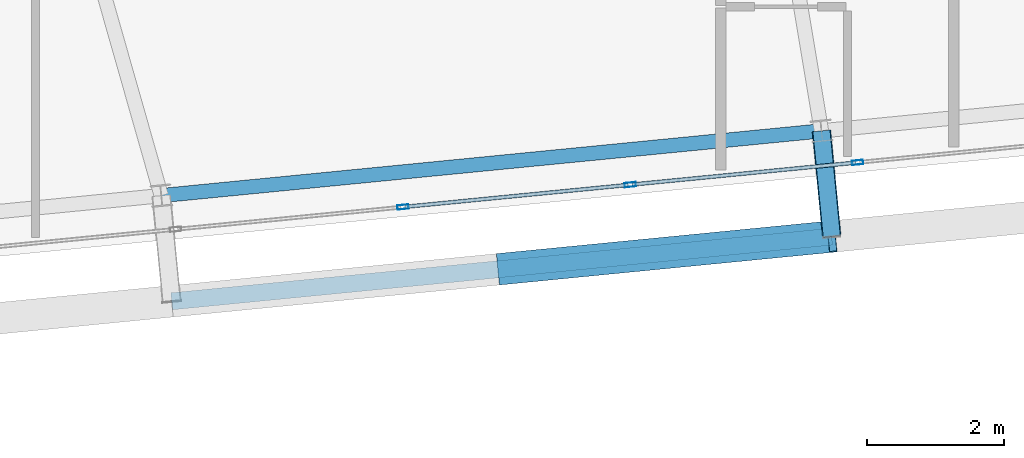
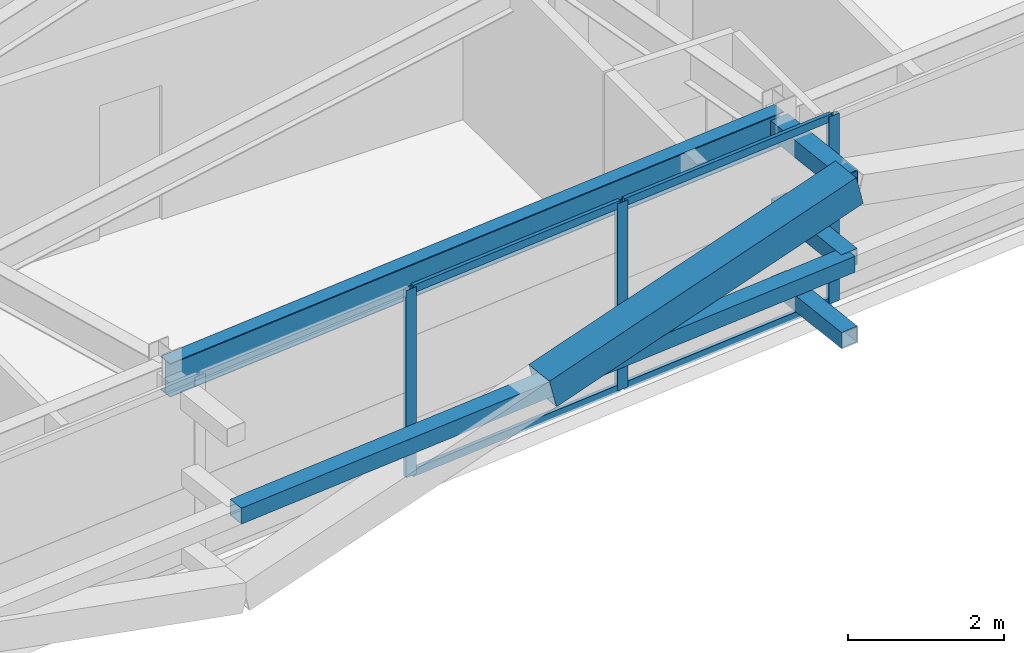
# One storey, part 18 of 52: 12 members, 1 beam, 1 element without a shape of its own.
"""IFC4 building model written with IfcOpenShell, lengths in metres."""

from ifc_helpers import new_model, si_unit, direction, frame, origin, origin_2d, place, context, subcontext, project, spatial, hollow_rectangle, i_section, extrude, source, transform, mapped, material, layer, layer_set, material_profile, profile_set, type_object, element, aggregate, save


model = new_model("IFC4")

# Units and contexts
model_context = context("Model", 3, precision=1e-05, world=origin(), true_north=direction((0.0, 1.0)))
body_context = subcontext(model_context, "Body", "Model", "MODEL_VIEW")
ifc_project = project(units=[si_unit("LENGTHUNIT", "METRE"), si_unit("AREAUNIT", "SQUARE_METRE"), si_unit("VOLUMEUNIT", "CUBIC_METRE"), si_unit("PLANEANGLEUNIT", "RADIAN"), si_unit("MASSUNIT", "GRAM", prefix="KILO")], contexts=[model_context])

# Site, building, storey
site_placement = place(None, origin())
site = spatial("IfcSite", under=ifc_project, at=site_placement, CompositionType="ELEMENT")
building_placement = place(site_placement, origin())
building = spatial("IfcBuilding", under=site, at=building_placement, Name="Taldren Reach Tower", CompositionType="ELEMENT")
storey_placement = place(building_placement, frame((0.0, 0.0, 77.699951171875)))
storey = spatial("IfcBuildingStorey", under=building, at=storey_placement, Name="L23", CompositionType="ELEMENT", Elevation=77.699951171875)

# Members
ifc_material_1 = material(Name="Steel Gr 450 (C450L0)", Category="steel")
ifc_material_profile_1 = material_profile(ifc_material_1, hollow_rectangle(XDim=0.27490234375, YDim=0.27490234375, WallThickness=0.00927734375, at=origin_2d()), Name="275x275x9.3SHS")
ifc_profile_set_1 = profile_set([ifc_material_profile_1], Name="Steel Gr 450 (C450L0)")
member_type_1 = type_object("IfcMemberType", Name="MB-TIE273", PredefinedType="STRUT", material=ifc_profile_set_1)
shared_shape_1 = source(origin(), body_context, "Body", "SweptSolid", [
    extrude(hollow_rectangle(XDim=0.27490234375, YDim=0.27490234375, WallThickness=0.00927734375, at=origin_2d()), origin(), (0.0, 0.0, 1.0), 1.5498046875),
])
member_1_placement = place(storey_placement, frame((53.469482421875, 3.698486328125, 2.650146484375), z_axis=(0.097507178627, -0.995234821595, 0.0), x_axis=(0.995234821595, 0.097507178627, 0.0)))
element("IfcMember", 1, at=member_1_placement, inside=storey, type_object=member_type_1, Name="Exoskeleton diaphragm tie strut B2-S5 L23", PredefinedType="STRUT", context=body_context, shape_type="MappedRepresentation", body=[
    mapped(shared_shape_1, transform((0.0, 0.0, 0.0), scale=1.0)),
])
ifc_material_2 = material(Name="Steel Gr 350 (C350L0)", Category="steel")
ifc_material_profile_2 = material_profile(ifc_material_2, hollow_rectangle(XDim=0.25, YDim=0.25, WallThickness=0.010009765625, at=origin_2d()), Name="250x250x10.0SHS")
ifc_profile_set_2 = profile_set([ifc_material_profile_2], Name="Steel Gr 350 (C350L0)")
member_type_2 = type_object("IfcMemberType", Name="MB-POST250", PredefinedType="POST", material=ifc_profile_set_2)
shared_shape_2 = source(origin(), body_context, "Body", "SweptSolid", [
    extrude(hollow_rectangle(XDim=0.25, YDim=0.25, WallThickness=0.010009765625, at=origin_2d()), origin(), (0.0, 0.0, 1.0), 1.5498046875),
])
for number, where, z_axis, x_axis, name in (
    (2, (53.469482421875, 3.698486328125, 0.219970703125), (0.097507178627, -0.995234821595, 0.0), (0.995234821595, 0.097507178627, 0.0), "Exoskeleton base diaphragm tie strut B2-S5 L23"),
    (3, (53.469482421875, 3.698486328125, 1.43505859375), (0.097507178627, -0.995234821595, 0.0), (0.995234821595, 0.097507178627, 0.0), "Exoskeleton mid-tier diaphragm tie B2-S5 L23"),
):
    element("IfcMember", number, at=place(storey_placement, frame(where, z_axis=z_axis, x_axis=x_axis)), inside=storey, type_object=member_type_2, Name=name, PredefinedType="POST", context=body_context, shape_type="MappedRepresentation", body=[
        mapped(shared_shape_2, transform((0.0, 0.0, 0.0), scale=1.0)),
    ])

# Beam
ifc_material_3 = material(Name="Steel Gr 350 (350PLUS)", Category="steel")
ifc_material_profile_3 = material_profile(ifc_material_3, i_section(OverallWidth=0.208984375, OverallDepth=0.528076171875, WebThickness=0.009521484375, FlangeThickness=0.01318359375, at=origin_2d()), Name="530UB82.0")
ifc_profile_set_3 = profile_set([ifc_material_profile_3], Name="Steel Gr 350 (350PLUS)")
beam_type = type_object("IfcBeamType", Name="SP-UB530B", PredefinedType="SPANDREL", material=ifc_profile_set_3)
shared_shape_3 = source(origin(), body_context, "Body", "SweptSolid", [
    extrude(i_section(OverallWidth=0.208984375, OverallDepth=0.528076171875, WebThickness=0.009521484375, FlangeThickness=0.01318359375, at=origin_2d()), origin(), (0.0, 0.0, 1.0), 9.68017578125),
])
beam_placement = place(storey_placement, frame((43.83544921875, 2.75390625, 2.666015625), z_axis=(0.995227852805, 0.097578281404, 0.0), x_axis=(-0.097578281404, 0.995227852805, 0.0)))
element("IfcBeam", 4, at=beam_placement, inside=storey, type_object=beam_type, Name="Perimeter spandrel B2 S4-S5 L23", PredefinedType="SPANDREL", context=body_context, shape_type="MappedRepresentation", body=[
    mapped(shared_shape_3, transform((0.0, 0.0, 0.0), scale=1.0)),
])

# Members
ifc_material_profile_4 = material_profile(ifc_material_1, hollow_rectangle(XDim=0.4599609375, YDim=0.4599609375, WallThickness=0.01611328125, at=origin_2d()), Name="460x460x16.0SHS")
ifc_profile_set_4 = profile_set([ifc_material_profile_4], Name="Steel Gr 450 (C450L0)")
member_type_3 = type_object("IfcMemberType", Name="MB-EXO457", PredefinedType="BRACE", material=ifc_profile_set_4)
shared_shape_4 = source(origin(), body_context, "Body", "SweptSolid", [
    extrude(hollow_rectangle(XDim=0.4599609375, YDim=0.4599609375, WallThickness=0.01611328125, at=origin_2d()), origin(), (0.0, 0.0, 1.0), 4.990234375),
])
member_2_placement = place(storey_placement, frame((48.8037109375, 1.68359375, 1.43505859375), z_axis=(0.965271056716, 0.094667992638, 0.243494883389), x_axis=(-0.097605711627, 0.995225162995, 0.0)))
element("IfcMember", 5, at=member_2_placement, inside=storey, type_object=member_type_3, Name="Exoskeleton Diagrid Brace B2-S4 L23", PredefinedType="BRACE", context=body_context, shape_type="MappedRepresentation", body=[
    mapped(shared_shape_4, transform((0.0, 0.0, 0.0), scale=1.0)),
])
shared_shape_5 = source(origin(), body_context, "Body", "SweptSolid", [
    extrude(hollow_rectangle(XDim=0.25, YDim=0.25, WallThickness=0.010009765625, at=origin_2d()), origin(), (0.0, 0.0, 1.0), 9.679931640625),
])
member_3_placement = place(storey_placement, frame((43.98681640625, 1.21142578125, 1.43505859375), z_axis=(0.995227612658, 0.097580730699, 0.0), x_axis=(-0.097580730699, 0.995227612658, 0.0)))
element("IfcMember", 6, at=member_3_placement, inside=storey, type_object=member_type_2, Name="Exoskeleton mid-height ring chord B2-S4 L23", PredefinedType="POST", context=body_context, shape_type="MappedRepresentation", body=[
    mapped(shared_shape_5, transform((0.0, 0.0, 0.0), scale=1.0)),
])

# Curtain wall, members
ifc_material_4 = material(Name="Aluminium and Low-E Glass Unitised System", Category="aluminium")
ifc_layer = layer(ifc_material_4, 0.159912109375)
ifc_layer_set = layer_set([ifc_layer], Name="Aluminium and Low-E Glass Unitised System")
curtain_wall_type = type_object("IfcCurtainWallType", Name="CW-SYS-3", PredefinedType="NOTDEFINED", material=ifc_layer_set)
curtain_wall_placement = place(storey_placement, origin())
curtain_wall = element("IfcCurtainWall", 7, at=curtain_wall_placement, inside=storey, type_object=curtain_wall_type, Name="Unitised curtain wall CW-L23-S", PredefinedType="NOTDEFINED")
ifc_material_5 = material(Name="Anodised Aluminium 6063-T6", Category="aluminium")
ifc_material_profile_5 = material_profile(ifc_material_5, hollow_rectangle(XDim=0.06494140625, YDim=0.1650390625, WallThickness=0.00390625, at=origin_2d()), Name="ALU-165x65x4RHS")
ifc_profile_set_5 = profile_set([ifc_material_profile_5], Name="Anodised Aluminium 6063-T6")
member_type_4 = type_object("IfcMemberType", Name="CW-MUL-165", PredefinedType="MULLION", material=ifc_profile_set_5)
shared_shape_6 = source(origin(), body_context, "Body", "SweptSolid", [
    extrude(hollow_rectangle(XDim=0.06494140625, YDim=0.1650390625, WallThickness=0.00390625, at=origin_2d()), origin(), (0.0, 0.0, 1.0), 2.929931640625),
])
member_4_placement = place(storey_placement, frame((47.362060546875, 2.587158203125, 0.0), z_axis=(0.0, 0.0, 1.0), x_axis=(-0.097582999046, 0.995227390247, 0.0)))
member_4 = element("IfcMember", 8, at=member_4_placement, type_object=member_type_4, Name="CW-3 mullion 11", PredefinedType="MULLION", context=body_context, shape_type="MappedRepresentation", body=[
    mapped(shared_shape_6, transform((0.0, 0.0, 0.0), scale=1.0)),
])
member_5_placement = place(storey_placement, frame((50.679443359375, 2.91259765625, 0.0), z_axis=(0.0, 0.0, 1.0), x_axis=(-0.097582999046, 0.995227390247, 0.0)))
member_5 = element("IfcMember", 9, at=member_5_placement, type_object=member_type_4, Name="CW-3 mullion 12", PredefinedType="MULLION", context=body_context, shape_type="MappedRepresentation", body=[
    mapped(shared_shape_6, transform((0.0, 0.0, 0.0), scale=1.0)),
])
member_6_placement = place(storey_placement, frame((53.996826171875, 3.23779296875, 0.0), z_axis=(0.0, 0.0, 1.0), x_axis=(-0.097582999046, 0.995227390247, 0.0)))
member_6 = element("IfcMember", 10, at=member_6_placement, type_object=member_type_4, Name="CW-3 mullion 13", PredefinedType="MULLION", context=body_context, shape_type="MappedRepresentation", body=[
    mapped(shared_shape_6, transform((0.0, 0.0, 0.0), scale=1.0)),
])
ifc_material_profile_6 = material_profile(ifc_material_5, hollow_rectangle(XDim=0.054931640625, YDim=0.1201171875, WallThickness=0.0029296875, at=origin_2d()), Name="ALU-120x55x3RHS")
ifc_profile_set_6 = profile_set([ifc_material_profile_6], Name="Anodised Aluminium 6063-T6")
member_type_5 = type_object("IfcMemberType", Name="CW-TRN-135", PredefinedType="USERDEFINED", material=ifc_profile_set_6)
shared_shape_7 = source(origin(), body_context, "Body", "SweptSolid", [
    extrude(hollow_rectangle(XDim=0.054931640625, YDim=0.1201171875, WallThickness=0.0029296875, at=origin_2d()), origin(), (0.0, 0.0, 1.0), 3.268310546875),
])
member_7_placement = place(storey_placement, frame((47.394287109375, 2.59033203125, 0.027587890625), z_axis=(0.995222549564, 0.097632355496, 0.0), x_axis=(-0.097632355496, 0.995222549564, 0.0)))
member_7 = element("IfcMember", 11, at=member_7_placement, type_object=member_type_5, Name="CW-3 transom 11.1", ObjectType="TRANSOM", PredefinedType="USERDEFINED", context=body_context, shape_type="MappedRepresentation", body=[
    mapped(shared_shape_7, transform((0.0, 0.0, 0.0), scale=1.0)),
])
member_8_placement = place(storey_placement, frame((47.394287109375, 2.59033203125, 2.902587890625), z_axis=(0.995222549564, 0.097632355496, 0.0), x_axis=(-0.097632355496, 0.995222549564, 0.0)))
member_8 = element("IfcMember", 12, at=member_8_placement, type_object=member_type_5, Name="CW-3 transom 11.2", ObjectType="TRANSOM", PredefinedType="USERDEFINED", context=body_context, shape_type="MappedRepresentation", body=[
    mapped(shared_shape_7, transform((0.0, 0.0, 0.0), scale=1.0)),
])
shared_shape_8 = source(origin(), body_context, "Body", "SweptSolid", [
    extrude(hollow_rectangle(XDim=0.054931640625, YDim=0.1201171875, WallThickness=0.0029296875, at=origin_2d()), origin(), (0.0, 0.0, 1.0), 3.2685546875),
])
member_9_placement = place(storey_placement, frame((50.711669921875, 2.915771484375, 0.027587890625), z_axis=(0.99523051601, 0.097551114824, 0.0), x_axis=(-0.097551114824, 0.99523051601, 0.0)))
member_9 = element("IfcMember", 13, at=member_9_placement, type_object=member_type_5, Name="CW-3 transom 12.1", ObjectType="TRANSOM", PredefinedType="USERDEFINED", context=body_context, shape_type="MappedRepresentation", body=[
    mapped(shared_shape_8, transform((0.0, 0.0, 0.0), scale=1.0)),
])
member_10_placement = place(storey_placement, frame((50.711669921875, 2.915771484375, 2.902587890625), z_axis=(0.99523051601, 0.097551114824, 0.0), x_axis=(-0.097551114824, 0.99523051601, 0.0)))
member_10 = element("IfcMember", 14, at=member_10_placement, type_object=member_type_5, Name="CW-3 transom 12.2", ObjectType="TRANSOM", PredefinedType="USERDEFINED", context=body_context, shape_type="MappedRepresentation", body=[
    mapped(shared_shape_8, transform((0.0, 0.0, 0.0), scale=1.0)),
])
aggregate(curtain_wall, [member_4, member_5, member_6, member_7, member_8, member_9, member_10])

save(model, "model.ifc")
